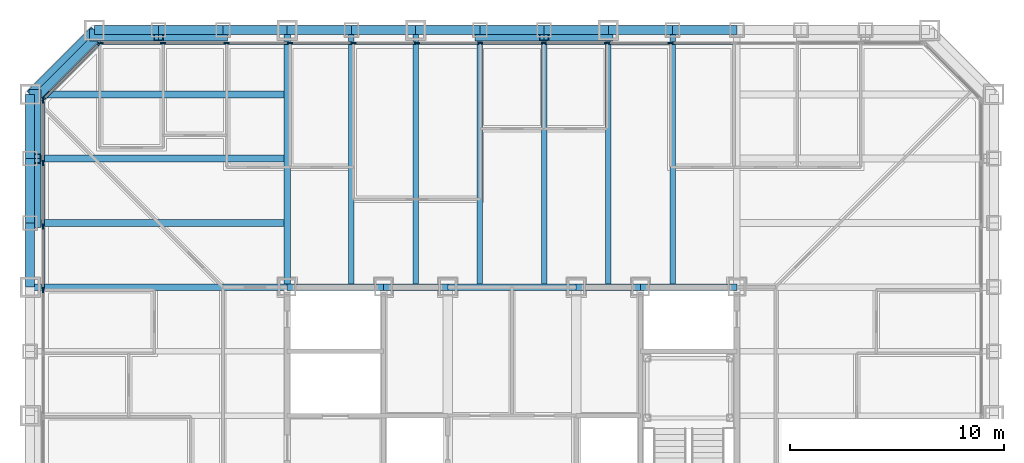
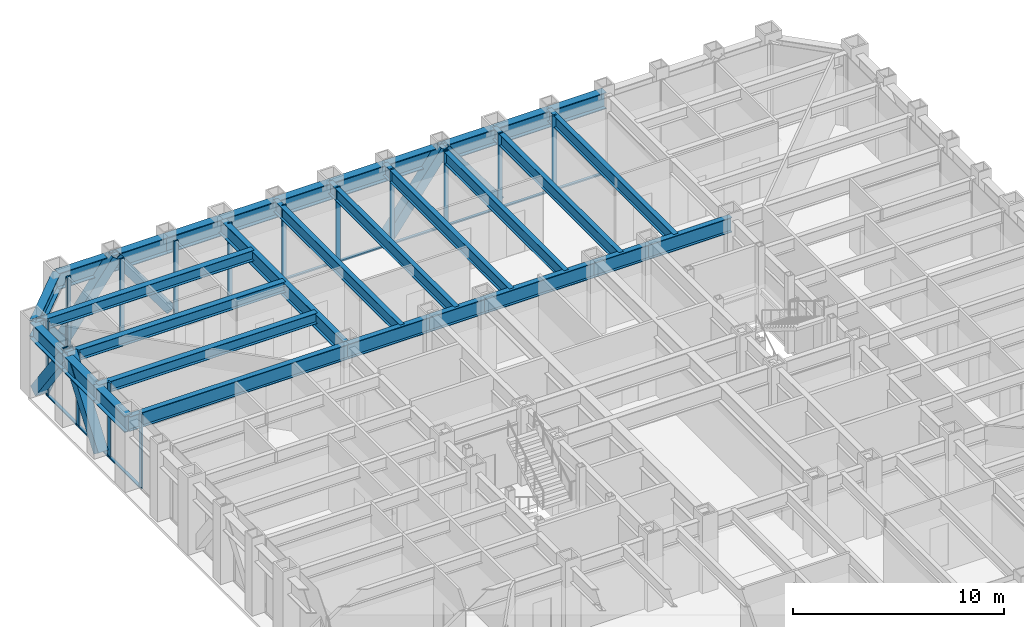
# One storey, part 5 of 17: 37 members, 30 beams, 3 elements without a shape of their own.
"""IFC4 building model written with IfcOpenShell, lengths in metres."""

import ifcopenshell
import ifcopenshell.guid

model = None  # the IFC model being written
_history = None  # IfcOwnerHistory: only IFC2X3 demands one
_inside = {}  # id of a spatial element -> (the spatial element, [elements in it])
_under = {}  # id of a project, library or spatial element -> (it, [spatial elements below it])
_declared = {}  # id of a project -> (the project, [libraries it declares])
_typed = {}  # id of a type object -> (the type object, [elements of that type])
_made_of = {}  # id of a material, layer set ... -> (it, [elements and type objects made of it])


def new_model(schema):
    """Start an empty IFC model of exactly this schema.

    Asked for "IFC4X3", IfcOpenShell would pick the latest addendum, in which some entities
    have other attributes; the version numbers below select the first issue.
    IFC2X3 requires an IfcOwnerHistory on every rooted entity: one is made here for all.
    """
    global model, _history
    if schema == "IFC4X3":
        model = ifcopenshell.file(schema_version=(4, 3, 0, 0))
    else:
        model = ifcopenshell.file(schema=schema)
    _inside.clear()
    _under.clear()
    _declared.clear()
    _typed.clear()
    _made_of.clear()
    _history = None
    if model.schema == "IFC2X3":
        org = make("IfcOrganization", Name="unknown")
        user = make(
            "IfcPersonAndOrganization",
            ThePerson=make("IfcPerson", FamilyName="unknown"),
            TheOrganization=org,
        )
        app = make(
            "IfcApplication",
            ApplicationDeveloper=org,
            Version="unknown",
            ApplicationFullName="unknown",
            ApplicationIdentifier="unknown",
        )
        _history = make(
            "IfcOwnerHistory",
            OwningUser=user,
            OwningApplication=app,
            ChangeAction="ADDED",
            CreationDate=0,
        )
    return model


def make(cls, **values):
    """One entity of the class cls with the attributes given. An attribute that is None is left unset."""
    return model.create_entity(
        cls, **{name: value for name, value in values.items() if value is not None}
    )


def rooted(cls, **values):
    """An entity with a GlobalId (a new one), such as an element, a storey or a relation."""
    return make(cls, GlobalId=ifcopenshell.guid.new(), OwnerHistory=_history, **values)


def si_unit(unit_type, name, prefix=None):
    """IfcSIUnit, for example si_unit("LENGTHUNIT", "METRE", prefix="MILLI")."""
    return make("IfcSIUnit", UnitType=unit_type, Prefix=prefix, Name=name)


def assignment(units):
    """IfcUnitAssignment: the units of a project."""
    return None if units is None else make("IfcUnitAssignment", Units=units)


def point(xyz):
    """IfcCartesianPoint."""
    return None if xyz is None else make("IfcCartesianPoint", Coordinates=xyz)


def direction(xyz):
    """IfcDirection."""
    return None if xyz is None else make("IfcDirection", DirectionRatios=xyz)


def frame(location, z_axis=None, x_axis=None):
    """IfcAxis2Placement3D, a coordinate frame: its origin and axes. An axis left out is left unset."""
    return make(
        "IfcAxis2Placement3D",
        Location=point(location),
        Axis=direction(z_axis),
        RefDirection=direction(x_axis),
    )


def frame_2d(location, x_axis=None):
    """IfcAxis2Placement2D, a coordinate frame in the plane: its origin and x axis."""
    return make(
        "IfcAxis2Placement2D", Location=point(location), RefDirection=direction(x_axis)
    )


def origin():
    """The frame at (0, 0, 0) with its axes left unset."""
    return frame((0.0, 0.0, 0.0))


def origin_2d():
    """The frame at (0, 0) in the plane with its x axis left unset."""
    return frame_2d((0.0, 0.0))


def place(relative_to, where):
    """IfcLocalPlacement: puts the frame where relative to a parent placement (None: the world)."""
    return make(
        "IfcLocalPlacement", PlacementRelTo=relative_to, RelativePlacement=where
    )


def context(
    kind, dimensions, precision=None, world=None, true_north=None, identifier=None
):
    """IfcGeometricRepresentationContext, for example the 3D "Model" context."""
    return make(
        "IfcGeometricRepresentationContext",
        ContextIdentifier=identifier,
        ContextType=kind,
        CoordinateSpaceDimension=dimensions,
        Precision=precision,
        WorldCoordinateSystem=world,
        TrueNorth=true_north,
    )


def subcontext(parent, identifier, kind, view, scale=None):
    """IfcGeometricRepresentationSubContext, for example "Body" below "Model"."""
    return make(
        "IfcGeometricRepresentationSubContext",
        ContextIdentifier=identifier,
        ContextType=kind,
        ParentContext=parent,
        TargetScale=scale,
        TargetView=view,
    )


def project(units=None, contexts=None):
    """IfcProject with its units and contexts."""
    return rooted(
        "IfcProject",
        Name="project",
        RepresentationContexts=contexts,
        UnitsInContext=assignment(units),
    )


def spatial(cls, under=None, at=None, **own):
    """A site, building, storey or space (cls), placed at a placement, below another one or the project."""
    s = rooted(cls, ObjectPlacement=at, **own)
    if under is not None:
        _under.setdefault(under.id(), (under, []))[1].append(s)
    return s


def profile(cls, at=None, kind="AREA", **sizes):
    """A parametric profile (cls). Its sizes go by their IFC names, for example OverallWidth=200.0."""
    return make(cls, ProfileType=kind, Position=at, **sizes)


def rectangle(**sizes):
    """IfcRectangleProfileDef."""
    return profile("IfcRectangleProfileDef", **sizes)


def hollow_rectangle(**sizes):
    """IfcRectangleHollowProfileDef."""
    return profile("IfcRectangleHollowProfileDef", **sizes)


def i_section(**sizes):
    """IfcIShapeProfileDef."""
    return profile("IfcIShapeProfileDef", **sizes)


def extrude(swept, where, along, depth):
    """IfcExtrudedAreaSolid: the profile swept, set in the frame where, extruded along a direction by depth."""
    return make(
        "IfcExtrudedAreaSolid",
        SweptArea=swept,
        Position=where,
        ExtrudedDirection=direction(along),
        Depth=depth,
    )


def shape(context_of_items, identifier, shape_type, items):
    """IfcShapeRepresentation: the items that make up one representation, for example the "Body"."""
    return make(
        "IfcShapeRepresentation",
        ContextOfItems=context_of_items,
        RepresentationIdentifier=identifier,
        RepresentationType=shape_type,
        Items=items,
    )


def material(Name=None, Category=None):
    """IfcMaterial."""
    return make("IfcMaterial", Name=Name, Category=Category)


def layer(
    of_material, thickness, ventilated=None, Name=None, Category=None, Priority=None
):
    """IfcMaterialLayer: one layer of a wall or slab, of a material (None: an air gap)."""
    return make(
        "IfcMaterialLayer",
        Material=of_material,
        LayerThickness=thickness,
        IsVentilated=ventilated,
        Name=Name,
        Category=Category,
        Priority=Priority,
    )


def layer_set(layers, Name=None):
    """IfcMaterialLayerSet."""
    return make("IfcMaterialLayerSet", MaterialLayers=layers, LayerSetName=Name)


def material_profile(
    of_material, cross_section, Name=None, Category=None, Priority=None
):
    """IfcMaterialProfile: a cross section and its material."""
    return make(
        "IfcMaterialProfile",
        Name=Name,
        Material=of_material,
        Profile=cross_section,
        Priority=Priority,
        Category=Category,
    )


def profile_set(profiles, Name=None, composite=None):
    """IfcMaterialProfileSet."""
    return make(
        "IfcMaterialProfileSet",
        Name=Name,
        MaterialProfiles=profiles,
        CompositeProfile=composite,
    )


def made_of(thing, what):
    """Note that an element or type object is made of a material, layer set ...; save() writes the relation."""
    if what is not None:
        _made_of.setdefault(what.id(), (what, []))[1].append(thing)
    return thing


def type_object(cls, material=None, **own):
    """A type object (cls), such as IfcWallType, which elements share."""
    return made_of(rooted(cls, **own), material)


def element(
    cls,
    number,
    at=None,
    inside=None,
    cuts=None,
    type_object=None,
    material=None,
    context=None,
    identifier="Body",
    shape_type=None,
    held_by="IfcProductDefinitionShape",
    body=None,
    shapes=None,
    **own,
):
    """One element of the class cls, such as IfcWall. Its Tag is "e" and its number.

    at: its placement. inside: the storey or other place that contains it. cuts: it is an
    opening in that element (IfcRelVoidsElement). A single representation is given by context,
    identifier, shape_type and body (its items); several are given by shapes. held_by: the class
    of the entity that holds the representations. save() writes the other relations.
    """
    e = rooted(cls, Tag="e%d" % number, ObjectPlacement=at, **own)
    if body is not None:
        shapes = [shape(context, identifier, shape_type, body)]
    if shapes is not None:
        e.Representation = make(held_by, Representations=shapes)
    if inside is not None:
        _inside.setdefault(inside.id(), (inside, []))[1].append(e)
    if cuts is not None:
        rooted(
            "IfcRelVoidsElement", RelatingBuildingElement=cuts, RelatedOpeningElement=e
        )
    if type_object is not None:
        _typed.setdefault(type_object.id(), (type_object, []))[1].append(e)
    return made_of(e, material)


def aggregate(whole, parts):
    """IfcRelAggregates: a whole, such as a stair, and the parts it consists of."""
    return rooted("IfcRelAggregates", RelatingObject=whole, RelatedObjects=parts)


def save(model, path):
    """Write the relations noted so far, then the file.

    IfcRelAggregates (storeys below a building ...), IfcRelContainedInSpatialStructure (elements
    in a storey), IfcRelDefinesByType, IfcRelAssociatesMaterial and IfcRelDeclares: one each for
    every whole, place, type object, material and project.
    """
    for whole, parts in _under.values():
        aggregate(whole, parts)
    for where, things in _inside.values():
        rooted(
            "IfcRelContainedInSpatialStructure",
            RelatedElements=things,
            RelatingStructure=where,
        )
    for kind, things in _typed.values():
        rooted("IfcRelDefinesByType", RelatedObjects=things, RelatingType=kind)
    for what, things in _made_of.values():
        rooted("IfcRelAssociatesMaterial", RelatedObjects=things, RelatingMaterial=what)
    for by, libraries in _declared.values():
        rooted("IfcRelDeclares", RelatingContext=by, RelatedDefinitions=libraries)
    model.write(path)


model = new_model("IFC4")

# Units and contexts
model_context = context("Model", 3, precision=1e-05, world=origin(), true_north=direction((0.0, 1.0)))
body_context = subcontext(model_context, "Body", "Model", "MODEL_VIEW")
ifc_project = project(units=[si_unit("LENGTHUNIT", "METRE"), si_unit("AREAUNIT", "SQUARE_METRE"), si_unit("VOLUMEUNIT", "CUBIC_METRE"), si_unit("PLANEANGLEUNIT", "RADIAN"), si_unit("MASSUNIT", "GRAM", prefix="KILO")], contexts=[model_context])

# Site, building, storey
site_placement = place(None, origin())
site = spatial("IfcSite", under=ifc_project, at=site_placement, CompositionType="ELEMENT")
building_placement = place(site_placement, origin())
building = spatial("IfcBuilding", under=site, at=building_placement, Name="Chuquiago Exchange Tower", CompositionType="ELEMENT")
storey_placement = place(building_placement, frame((0.0, 0.0, 42.300048828125)))
storey = spatial("IfcBuildingStorey", under=building, at=storey_placement, Name="L08", CompositionType="ELEMENT", Elevation=42.300048828125)

# Beams
ifc_material_1 = material(Name="Steel ASTM A992", Category="steel")
ifc_material_profile_1 = material_profile(ifc_material_1, i_section(OverallWidth=0.2919921875, OverallDepth=0.8583984375, WebThickness=0.01708984375, FlangeThickness=0.031005859375, at=origin_2d()), Name="W33X169")
ifc_profile_set_1 = profile_set([ifc_material_profile_1], Name="Steel ASTM A992")
beam_type_1 = type_object("IfcBeamType", Name="B3 W33X169", PredefinedType="BEAM", material=ifc_profile_set_1)
beam_1_placement = place(storey_placement, frame((12.0, 33.0, 3.610595703125), z_axis=(1.0, 0.0, 0.0), x_axis=(0.0, 1.0, 0.0)))
element("IfcBeam", 1, at=beam_1_placement, inside=storey, type_object=beam_type_1, Name="CB-L09-12_33-16.5_33", PredefinedType="BEAM", context=body_context, shape_type="SweptSolid", body=[
    extrude(i_section(OverallWidth=0.2919921875, OverallDepth=0.8583984375, WebThickness=0.01708984375, FlangeThickness=0.031005859375, at=origin_2d()), origin(), (0.0, 0.0, 1.0), 4.5),
])
beam_2_placement = place(storey_placement, frame((16.5, 33.0, 3.610595703125), z_axis=(1.0, 0.0, 0.0), x_axis=(0.0, 1.0, 0.0)))
element("IfcBeam", 2, at=beam_2_placement, inside=storey, type_object=beam_type_1, Name="CB-L09-16.5_33-19.5_33", PredefinedType="BEAM", context=body_context, shape_type="SweptSolid", body=[
    extrude(i_section(OverallWidth=0.2919921875, OverallDepth=0.8583984375, WebThickness=0.01708984375, FlangeThickness=0.031005859375, at=origin_2d()), origin(), (0.0, 0.0, 1.0), 3.0),
])
beam_3_placement = place(storey_placement, frame((19.5, 33.0, 3.610595703125), z_axis=(1.0, 0.0, 0.0), x_axis=(0.0, 1.0, 0.0)))
element("IfcBeam", 3, at=beam_3_placement, inside=storey, type_object=beam_type_1, Name="CB-L09-19.5_33-25.5_33", PredefinedType="BEAM", context=body_context, shape_type="SweptSolid", body=[
    extrude(i_section(OverallWidth=0.2919921875, OverallDepth=0.8583984375, WebThickness=0.01708984375, FlangeThickness=0.031005859375, at=origin_2d()), origin(), (0.0, 0.0, 1.0), 6.0),
])
beam_4_placement = place(storey_placement, frame((25.5, 33.0, 3.610595703125), z_axis=(1.0, 0.0, 0.0), x_axis=(0.0, 1.0, 0.0)))
element("IfcBeam", 4, at=beam_4_placement, inside=storey, type_object=beam_type_1, Name="CB-L09-25.5_33-28.5_33", PredefinedType="BEAM", context=body_context, shape_type="SweptSolid", body=[
    extrude(i_section(OverallWidth=0.2919921875, OverallDepth=0.8583984375, WebThickness=0.01708984375, FlangeThickness=0.031005859375, at=origin_2d()), origin(), (0.0, 0.0, 1.0), 3.0),
])
beam_5_placement = place(storey_placement, frame((28.5, 33.0, 3.610595703125), z_axis=(1.0, 0.0, 0.0), x_axis=(0.0, 1.0, 0.0)))
element("IfcBeam", 5, at=beam_5_placement, inside=storey, type_object=beam_type_1, Name="CB-L09-28.5_33-33_33", PredefinedType="BEAM", context=body_context, shape_type="SweptSolid", body=[
    extrude(i_section(OverallWidth=0.2919921875, OverallDepth=0.8583984375, WebThickness=0.01708984375, FlangeThickness=0.031005859375, at=origin_2d()), origin(), (0.0, 0.0, 1.0), 4.5),
])
ifc_material_2 = material(Name="Steel ASTM A992", Category="steel")
ifc_material_profile_2 = material_profile(ifc_material_2, i_section(OverallWidth=0.256591796875, OverallDepth=0.693359375, WebThickness=0.014404296875, FlangeThickness=0.023681640625, at=origin_2d()), Name="W27X114")
ifc_profile_set_2 = profile_set([ifc_material_profile_2], Name="Steel ASTM A992")
beam_type_2 = type_object("IfcBeamType", Name="B4 W27X114", PredefinedType="BEAM", material=ifc_profile_set_2)
for number, where, z_axis, x_axis, name in (
    (6, (15.0, 33.0, 3.693359375), (0.0, 1.0, 0.0), (-1.0, 0.0, 0.0), "FB-L09-infill-15_33-15_45-0"),
    (7, (18.0, 33.0, 3.693359375), (0.0, 1.0, 0.0), (-1.0, 0.0, 0.0), "FB-L09-infill-18_33-18_45-0"),
    (8, (21.0, 33.0, 3.693359375), (0.0, 1.0, 0.0), (-1.0, 0.0, 0.0), "FB-L09-infill-21_33-21_45-0"),
    (9, (24.0, 33.0, 3.693359375), (0.0, 1.0, 0.0), (-1.0, 0.0, 0.0), "FB-L09-infill-24_33-24_45-0"),
    (10, (27.0, 33.0, 3.693359375), (0.0, 1.0, 0.0), (-1.0, 0.0, 0.0), "FB-L09-infill-27_33-27_45-0"),
    (11, (30.0, 33.0, 3.693359375), (0.0, 1.0, 0.0), (-1.0, 0.0, 0.0), "FB-L09-infill-30_33-30_45-0"),
):
    element("IfcBeam", number, at=place(storey_placement, frame(where, z_axis=z_axis, x_axis=x_axis)), inside=storey, type_object=beam_type_2, Name=name, PredefinedType="BEAM", context=body_context, shape_type="SweptSolid", body=[
        extrude(i_section(OverallWidth=0.256591796875, OverallDepth=0.693359375, WebThickness=0.014404296875, FlangeThickness=0.023681640625, at=origin_2d()), origin(), (0.0, 0.0, 1.0), 12.0),
    ])
ifc_material_3 = material(Name="Steel ASTM A992", Category="steel")
ifc_material_profile_3 = material_profile(ifc_material_3, i_section(OverallWidth=0.3251953125, OverallDepth=0.6171875, WebThickness=0.013916015625, FlangeThickness=0.021484375, at=origin_2d()), Name="W24X117")
ifc_profile_set_3 = profile_set([ifc_material_profile_3], Name="Steel ASTM A992")
beam_type_3 = type_object("IfcBeamType", Name="B5 W24X117", PredefinedType="BEAM", material=ifc_profile_set_3)
for number, where, z_axis, x_axis, name in (
    (12, (12.0, 36.0, 3.7314453125), (-1.0, 0.0, 0.0), (0.0, -1.0, 0.0), "FB-L09-corner-12_36--0_36-0"),
    (13, (12.0, 39.0, 3.7314453125), (-1.0, 0.0, 0.0), (0.0, -1.0, 0.0), "FB-L09-corner-12_39--0_39-0"),
    (14, (12.0, 42.0, 3.7314453125), (-1.0, 0.0, 0.0), (0.0, -1.0, 0.0), "FB-L09-corner-12_42--0_42-0"),
):
    element("IfcBeam", number, at=place(storey_placement, frame(where, z_axis=z_axis, x_axis=x_axis)), inside=storey, type_object=beam_type_3, Name=name, PredefinedType="BEAM", context=body_context, shape_type="SweptSolid", body=[
        extrude(i_section(OverallWidth=0.3251953125, OverallDepth=0.6171875, WebThickness=0.013916015625, FlangeThickness=0.021484375, at=origin_2d()), origin(), (0.0, 0.0, 1.0), 12.0),
    ])

# Curtain wall, members
ifc_material_4 = material(Name="Aluminium curtain wall system", Category="aluminium")
ifc_layer_1 = layer(ifc_material_4, 0.25)
ifc_layer_set_1 = layer_set([ifc_layer_1], Name="CW1 trading floor curtain wall")
curtain_wall_type_1 = type_object("IfcCurtainWallType", Name="CW1 trading floor curtain wall", PredefinedType="NOTDEFINED", material=ifc_layer_set_1)
curtain_wall_1_placement = place(storey_placement, origin())
curtain_wall_1 = element("IfcCurtainWall", 15, at=curtain_wall_1_placement, inside=storey, type_object=curtain_wall_type_1, Name="CW1 curtain wall L08", PredefinedType="NOTDEFINED")
ifc_material_5 = material(Name="Aluminium mullion, pale anodised", Category="aluminium")
ifc_material_profile_4 = material_profile(ifc_material_5, rectangle(XDim=0.074951171875, YDim=0.25, at=origin_2d()), Name="AL 75x250")
ifc_profile_set_4 = profile_set([ifc_material_profile_4], Name="Aluminium mullion, pale anodised")
member_type_1 = type_object("IfcMemberType", Name="CW1-M mullion 75x250", PredefinedType="MULLION", material=ifc_profile_set_4)
member_1_placement = place(storey_placement, frame((29.904541015625, 44.39990234375, -0.300048828125), z_axis=(0.0, 0.0, 1.0), x_axis=(0.0, -1.0, 0.0)))
member_1 = element("IfcMember", 16, at=member_1_placement, type_object=member_type_1, Name="CW1 mullion 5", PredefinedType="MULLION", context=body_context, shape_type="SweptSolid", body=[
    extrude(rectangle(XDim=0.074951171875, YDim=0.25, at=origin_2d()), origin(), (0.0, 0.0, 1.0), 4.340087890625),
])
member_2_placement = place(storey_placement, frame((26.942626953125, 44.39990234375, -0.300048828125), z_axis=(0.0, 0.0, 1.0), x_axis=(0.0, -1.0, 0.0)))
member_2 = element("IfcMember", 17, at=member_2_placement, type_object=member_type_1, Name="CW1 mullion 6", PredefinedType="MULLION", context=body_context, shape_type="SweptSolid", body=[
    extrude(rectangle(XDim=0.074951171875, YDim=0.25, at=origin_2d()), origin(), (0.0, 0.0, 1.0), 4.340087890625),
])
member_3_placement = place(storey_placement, frame((23.98095703125, 44.39990234375, -0.300048828125), z_axis=(0.0, 0.0, 1.0), x_axis=(0.0, -1.0, 0.0)))
member_3 = element("IfcMember", 18, at=member_3_placement, type_object=member_type_1, Name="CW1 mullion 7", PredefinedType="MULLION", context=body_context, shape_type="SweptSolid", body=[
    extrude(rectangle(XDim=0.074951171875, YDim=0.25, at=origin_2d()), origin(), (0.0, 0.0, 1.0), 4.340087890625),
])
member_4_placement = place(storey_placement, frame((21.01904296875, 44.39990234375, -0.300048828125), z_axis=(0.0, 0.0, 1.0), x_axis=(0.0, -1.0, 0.0)))
member_4 = element("IfcMember", 19, at=member_4_placement, type_object=member_type_1, Name="CW1 mullion 8", PredefinedType="MULLION", context=body_context, shape_type="SweptSolid", body=[
    extrude(rectangle(XDim=0.074951171875, YDim=0.25, at=origin_2d()), origin(), (0.0, 0.0, 1.0), 4.340087890625),
])
member_5_placement = place(storey_placement, frame((18.057373046875, 44.39990234375, -0.300048828125), z_axis=(0.0, 0.0, 1.0), x_axis=(0.0, -1.0, 0.0)))
member_5 = element("IfcMember", 20, at=member_5_placement, type_object=member_type_1, Name="CW1 mullion 9", PredefinedType="MULLION", context=body_context, shape_type="SweptSolid", body=[
    extrude(rectangle(XDim=0.074951171875, YDim=0.25, at=origin_2d()), origin(), (0.0, 0.0, 1.0), 4.340087890625),
])
member_6_placement = place(storey_placement, frame((15.095458984375, 44.39990234375, -0.300048828125), z_axis=(0.0, 0.0, 1.0), x_axis=(0.0, -1.0, 0.0)))
member_6 = element("IfcMember", 21, at=member_6_placement, type_object=member_type_1, Name="CW1 mullion 10", PredefinedType="MULLION", context=body_context, shape_type="SweptSolid", body=[
    extrude(rectangle(XDim=0.074951171875, YDim=0.25, at=origin_2d()), origin(), (0.0, 0.0, 1.0), 4.340087890625),
])
member_7_placement = place(storey_placement, frame((12.1337890625, 44.39990234375, -0.300048828125), z_axis=(0.0, 0.0, 1.0), x_axis=(0.0, -1.0, 0.0)))
member_7 = element("IfcMember", 22, at=member_7_placement, type_object=member_type_1, Name="CW1 mullion 11", PredefinedType="MULLION", context=body_context, shape_type="SweptSolid", body=[
    extrude(rectangle(XDim=0.074951171875, YDim=0.25, at=origin_2d()), origin(), (0.0, 0.0, 1.0), 4.340087890625),
])
member_8_placement = place(storey_placement, frame((9.172119140625, 44.39990234375, -0.300048828125), z_axis=(0.0, 0.0, 1.0), x_axis=(0.0, -1.0, 0.0)))
member_8 = element("IfcMember", 23, at=member_8_placement, type_object=member_type_1, Name="CW1 mullion 12", PredefinedType="MULLION", context=body_context, shape_type="SweptSolid", body=[
    extrude(rectangle(XDim=0.074951171875, YDim=0.25, at=origin_2d()), origin(), (0.0, 0.0, 1.0), 4.340087890625),
])
member_9_placement = place(storey_placement, frame((6.210205078125, 44.39990234375, -0.300048828125), z_axis=(0.0, 0.0, 1.0), x_axis=(0.0, -1.0, 0.0)))
member_9 = element("IfcMember", 24, at=member_9_placement, type_object=member_type_1, Name="CW1 mullion 13", PredefinedType="MULLION", context=body_context, shape_type="SweptSolid", body=[
    extrude(rectangle(XDim=0.074951171875, YDim=0.25, at=origin_2d()), origin(), (0.0, 0.0, 1.0), 4.340087890625),
])
member_10_placement = place(storey_placement, frame((3.285888671875, 44.39990234375, -0.300048828125), z_axis=(0.0, 0.0, 1.0), x_axis=(0.0, -1.0, 0.0)))
member_10 = element("IfcMember", 25, at=member_10_placement, type_object=member_type_1, Name="CW1 mullion 14", PredefinedType="MULLION", context=body_context, shape_type="SweptSolid", body=[
    extrude(rectangle(XDim=0.074951171875, YDim=0.25, at=origin_2d()), origin(), (0.0, 0.0, 1.0), 4.340087890625),
])

curtain_wall_2_placement = place(storey_placement, origin())
curtain_wall_2 = element("IfcCurtainWall", 26, at=curtain_wall_2_placement, inside=storey, type_object=curtain_wall_type_1, Name="CW1 curtain wall L08", PredefinedType="NOTDEFINED")
member_11_placement = place(storey_placement, frame((0.60009765625, 41.714111328125, -0.300048828125), z_axis=(0.0, 0.0, 1.0), x_axis=(1.0, 0.0, 0.0)))
member_11 = element("IfcMember", 27, at=member_11_placement, type_object=member_type_1, Name="CW1 mullion 1", PredefinedType="MULLION", context=body_context, shape_type="SweptSolid", body=[
    extrude(rectangle(XDim=0.074951171875, YDim=0.25, at=origin_2d()), origin(), (0.0, 0.0, 1.0), 4.340087890625),
])
member_12_placement = place(storey_placement, frame((0.60009765625, 38.789794921875, -0.300048828125), z_axis=(0.0, 0.0, 1.0), x_axis=(1.0, 0.0, 0.0)))
member_12 = element("IfcMember", 28, at=member_12_placement, type_object=member_type_1, Name="CW1 mullion 2", PredefinedType="MULLION", context=body_context, shape_type="SweptSolid", body=[
    extrude(rectangle(XDim=0.074951171875, YDim=0.25, at=origin_2d()), origin(), (0.0, 0.0, 1.0), 4.340087890625),
])
member_13_placement = place(storey_placement, frame((0.60009765625, 35.827880859375, -0.300048828125), z_axis=(0.0, 0.0, 1.0), x_axis=(1.0, 0.0, 0.0)))
member_13 = element("IfcMember", 29, at=member_13_placement, type_object=member_type_1, Name="CW1 mullion 3", PredefinedType="MULLION", context=body_context, shape_type="SweptSolid", body=[
    extrude(rectangle(XDim=0.074951171875, YDim=0.25, at=origin_2d()), origin(), (0.0, 0.0, 1.0), 4.340087890625),
])
member_14_placement = place(storey_placement, frame((0.60009765625, 32.8662109375, -0.300048828125), z_axis=(0.0, 0.0, 1.0), x_axis=(1.0, 0.0, 0.0)))
member_14 = element("IfcMember", 30, at=member_14_placement, type_object=member_type_1, Name="CW1 mullion 4", PredefinedType="MULLION", context=body_context, shape_type="SweptSolid", body=[
    extrude(rectangle(XDim=0.074951171875, YDim=0.25, at=origin_2d()), origin(), (0.0, 0.0, 1.0), 4.340087890625),
])

# Member
ifc_material_6 = material(Name="Aluminium transom, pale anodised", Category="aluminium")
ifc_material_profile_5 = material_profile(ifc_material_6, rectangle(XDim=0.14990234375, YDim=0.074951171875, at=origin_2d()), Name="AL 150x75")
ifc_profile_set_5 = profile_set([ifc_material_profile_5], Name="Aluminium transom, pale anodised")
member_type_2 = type_object("IfcMemberType", Name="CW1-T transom 75x150", PredefinedType="MULLION", material=ifc_profile_set_5)
member_15_placement = place(storey_placement, frame((32.82861328125, 44.39990234375, -0.262451171875), z_axis=(-1.0, 0.0, 0.0), x_axis=(0.0, -1.0, 0.0)))
member_15 = element("IfcMember", 31, at=member_15_placement, type_object=member_type_2, Name="CW1 transom 4.1", PredefinedType="MULLION", context=body_context, shape_type="SweptSolid", body=[
    extrude(rectangle(XDim=0.14990234375, YDim=0.074951171875, at=origin_2d()), origin(), (0.0, 0.0, 1.0), 2.88671875),
])

member_16_placement = place(storey_placement, frame((29.866943359375, 44.39990234375, -0.262451171875), z_axis=(-1.0, 0.0, 0.0), x_axis=(0.0, -1.0, 0.0)))
member_16 = element("IfcMember", 32, at=member_16_placement, type_object=member_type_2, Name="CW1 transom 5.1", PredefinedType="MULLION", context=body_context, shape_type="SweptSolid", body=[
    extrude(rectangle(XDim=0.14990234375, YDim=0.074951171875, at=origin_2d()), origin(), (0.0, 0.0, 1.0), 2.88671875),
])

member_17_placement = place(storey_placement, frame((26.9052734375, 44.39990234375, -0.262451171875), z_axis=(-1.0, 0.0, 0.0), x_axis=(0.0, -1.0, 0.0)))
member_17 = element("IfcMember", 33, at=member_17_placement, type_object=member_type_2, Name="CW1 transom 6.1", PredefinedType="MULLION", context=body_context, shape_type="SweptSolid", body=[
    extrude(rectangle(XDim=0.14990234375, YDim=0.074951171875, at=origin_2d()), origin(), (0.0, 0.0, 1.0), 2.886962890625),
])

member_18_placement = place(storey_placement, frame((23.943359375, 44.39990234375, -0.262451171875), z_axis=(-1.0, 0.0, 0.0), x_axis=(0.0, -1.0, 0.0)))
member_18 = element("IfcMember", 34, at=member_18_placement, type_object=member_type_2, Name="CW1 transom 7.1", PredefinedType="MULLION", context=body_context, shape_type="SweptSolid", body=[
    extrude(rectangle(XDim=0.14990234375, YDim=0.074951171875, at=origin_2d()), origin(), (0.0, 0.0, 1.0), 2.88671875),
])

member_19_placement = place(storey_placement, frame((20.981689453125, 44.39990234375, -0.262451171875), z_axis=(-1.0, 0.0, 0.0), x_axis=(0.0, -1.0, 0.0)))
member_19 = element("IfcMember", 35, at=member_19_placement, type_object=member_type_2, Name="CW1 transom 8.1", PredefinedType="MULLION", context=body_context, shape_type="SweptSolid", body=[
    extrude(rectangle(XDim=0.14990234375, YDim=0.074951171875, at=origin_2d()), origin(), (0.0, 0.0, 1.0), 2.886962890625),
])

member_20_placement = place(storey_placement, frame((18.019775390625, 44.39990234375, -0.262451171875), z_axis=(-1.0, 0.0, 0.0), x_axis=(0.0, -1.0, 0.0)))
member_20 = element("IfcMember", 36, at=member_20_placement, type_object=member_type_2, Name="CW1 transom 9.1", PredefinedType="MULLION", context=body_context, shape_type="SweptSolid", body=[
    extrude(rectangle(XDim=0.14990234375, YDim=0.074951171875, at=origin_2d()), origin(), (0.0, 0.0, 1.0), 2.88671875),
])

member_21_placement = place(storey_placement, frame((15.05810546875, 44.39990234375, -0.262451171875), z_axis=(-1.0, 0.0, 0.0), x_axis=(0.0, -1.0, 0.0)))
member_21 = element("IfcMember", 37, at=member_21_placement, type_object=member_type_2, Name="CW1 transom 10.1", PredefinedType="MULLION", context=body_context, shape_type="SweptSolid", body=[
    extrude(rectangle(XDim=0.14990234375, YDim=0.074951171875, at=origin_2d()), origin(), (0.0, 0.0, 1.0), 2.88671875),
])

member_22_placement = place(storey_placement, frame((12.09619140625, 44.39990234375, -0.262451171875), z_axis=(-1.0, 0.0, 0.0), x_axis=(0.0, -1.0, 0.0)))
member_22 = element("IfcMember", 38, at=member_22_placement, type_object=member_type_2, Name="CW1 transom 11.1", PredefinedType="MULLION", context=body_context, shape_type="SweptSolid", body=[
    extrude(rectangle(XDim=0.14990234375, YDim=0.074951171875, at=origin_2d()), origin(), (0.0, 0.0, 1.0), 2.88671875),
])

member_23_placement = place(storey_placement, frame((9.134521484375, 44.39990234375, -0.262451171875), z_axis=(-1.0, 0.0, 0.0), x_axis=(0.0, -1.0, 0.0)))
member_23 = element("IfcMember", 39, at=member_23_placement, type_object=member_type_2, Name="CW1 transom 12.1", PredefinedType="MULLION", context=body_context, shape_type="SweptSolid", body=[
    extrude(rectangle(XDim=0.14990234375, YDim=0.074951171875, at=origin_2d()), origin(), (0.0, 0.0, 1.0), 2.88671875),
])

member_24_placement = place(storey_placement, frame((6.1728515625, 44.39990234375, -0.262451171875), z_axis=(-1.0, 0.0, 0.0), x_axis=(0.0, -1.0, 0.0)))
member_24 = element("IfcMember", 40, at=member_24_placement, type_object=member_type_2, Name="CW1 transom 13.1", PredefinedType="MULLION", context=body_context, shape_type="SweptSolid", body=[
    extrude(rectangle(XDim=0.14990234375, YDim=0.074951171875, at=origin_2d()), origin(), (0.0, 0.0, 1.0), 2.849365234375),
])

aggregate(curtain_wall_1, [member_1, member_2, member_3, member_4, member_5, member_6, member_7, member_8, member_9, member_10, member_15, member_16, member_17, member_18, member_19, member_20, member_21, member_22, member_23, member_24])

member_25_placement = place(storey_placement, frame((0.60009765625, 41.676513671875, -0.262451171875), z_axis=(0.0, -1.0, 0.0), x_axis=(1.0, 0.0, 0.0)))
member_25 = element("IfcMember", 41, at=member_25_placement, type_object=member_type_2, Name="CW1 transom 1.1", PredefinedType="MULLION", context=body_context, shape_type="SweptSolid", body=[
    extrude(rectangle(XDim=0.14990234375, YDim=0.074951171875, at=origin_2d()), origin(), (0.0, 0.0, 1.0), 2.849365234375),
])

member_26_placement = place(storey_placement, frame((0.60009765625, 38.752197265625, -0.262451171875), z_axis=(0.0, -1.0, 0.0), x_axis=(1.0, 0.0, 0.0)))
member_26 = element("IfcMember", 42, at=member_26_placement, type_object=member_type_2, Name="CW1 transom 2.1", PredefinedType="MULLION", context=body_context, shape_type="SweptSolid", body=[
    extrude(rectangle(XDim=0.14990234375, YDim=0.074951171875, at=origin_2d()), origin(), (0.0, 0.0, 1.0), 2.88671875),
])

member_27_placement = place(storey_placement, frame((0.60009765625, 35.79052734375, -0.262451171875), z_axis=(0.0, -1.0, 0.0), x_axis=(1.0, 0.0, 0.0)))
member_27 = element("IfcMember", 43, at=member_27_placement, type_object=member_type_2, Name="CW1 transom 3.1", PredefinedType="MULLION", context=body_context, shape_type="SweptSolid", body=[
    extrude(rectangle(XDim=0.14990234375, YDim=0.074951171875, at=origin_2d()), origin(), (0.0, 0.0, 1.0), 2.88671875),
])

aggregate(curtain_wall_2, [member_11, member_12, member_13, member_14, member_25, member_26, member_27])

# Curtain wall, members
ifc_material_7 = material(Name="Aluminium curtain wall system", Category="aluminium")
ifc_layer_2 = layer(ifc_material_7, 0.199951171875)
ifc_layer_set_2 = layer_set([ifc_layer_2], Name="CW3 facet curtain wall")
curtain_wall_type_2 = type_object("IfcCurtainWallType", Name="CW3 facet curtain wall", PredefinedType="NOTDEFINED", material=ifc_layer_set_2)
curtain_wall_3_placement = place(storey_placement, origin())
curtain_wall_3 = element("IfcCurtainWall", 44, at=curtain_wall_3_placement, inside=storey, type_object=curtain_wall_type_2, Name="CW3 curtain wall L08", PredefinedType="NOTDEFINED")
ifc_material_8 = material(Name="Aluminium mullion, pale anodised", Category="aluminium")
ifc_material_profile_6 = material_profile(ifc_material_8, rectangle(XDim=0.06494140625, YDim=0.199951171875, at=origin_2d()), Name="AL 65x200")
ifc_profile_set_6 = profile_set([ifc_material_profile_6], Name="Aluminium mullion, pale anodised")
member_type_3 = type_object("IfcMemberType", Name="CW3-M mullion 65x200", PredefinedType="MULLION", material=ifc_profile_set_6)
member_28_placement = place(storey_placement, frame((3.2255859375, 44.376953125, -0.300048828125), z_axis=(0.0, 0.0, 1.0), x_axis=(0.707106781187, -0.707106781187, 0.0)))
member_28 = element("IfcMember", 45, at=member_28_placement, type_object=member_type_3, Name="CW3 mullion 1", PredefinedType="MULLION", context=body_context, shape_type="SweptSolid", body=[
    extrude(rectangle(XDim=0.06494140625, YDim=0.199951171875, at=origin_2d()), origin(), (0.0, 0.0, 1.0), 4.340087890625),
])
member_29_placement = place(storey_placement, frame((0.623046875, 41.7744140625, -0.300048828125), z_axis=(0.0, 0.0, 1.0), x_axis=(0.707106781187, -0.707106781187, 0.0)))
member_29 = element("IfcMember", 46, at=member_29_placement, type_object=member_type_3, Name="CW3 mullion 2", PredefinedType="MULLION", context=body_context, shape_type="SweptSolid", body=[
    extrude(rectangle(XDim=0.06494140625, YDim=0.199951171875, at=origin_2d()), origin(), (0.0, 0.0, 1.0), 4.340087890625),
])
ifc_material_9 = material(Name="Aluminium transom, pale anodised", Category="aluminium")
ifc_material_profile_7 = material_profile(ifc_material_9, rectangle(XDim=0.139892578125, YDim=0.06494140625, at=origin_2d()), Name="AL 140x65")
ifc_profile_set_7 = profile_set([ifc_material_profile_7], Name="Aluminium transom, pale anodised")
member_type_4 = type_object("IfcMemberType", Name="CW3-T transom 65x140", PredefinedType="MULLION", material=ifc_profile_set_7)
member_30_placement = place(storey_placement, frame((3.20263671875, 44.35400390625, -0.267578125), z_axis=(-0.707106781187, -0.707106781187, 0.0), x_axis=(0.707106781187, -0.707106781187, 0.0)))
member_30 = element("IfcMember", 47, at=member_30_placement, type_object=member_type_4, Name="CW3 transom 1.1", PredefinedType="MULLION", context=body_context, shape_type="SweptSolid", body=[
    extrude(rectangle(XDim=0.139892578125, YDim=0.06494140625, at=origin_2d()), origin(), (0.0, 0.0, 1.0), 3.61572265625),
])
aggregate(curtain_wall_3, [member_28, member_29, member_30])

# Beams
ifc_material_10 = material(Name="Steel ASTM A992", Category="steel")
ifc_material_profile_8 = material_profile(ifc_material_10, i_section(OverallWidth=0.2919921875, OverallDepth=0.8583984375, WebThickness=0.01708984375, FlangeThickness=0.031005859375, at=origin_2d()), Name="W33X169")
ifc_profile_set_8 = profile_set([ifc_material_profile_8], Name="Steel ASTM A992")
beam_type_4 = type_object("IfcBeamType", Name="G2 W33X169", PredefinedType="BEAM", material=ifc_profile_set_8)
for number, where, z_axis, x_axis, name in (
    (48, (12.0, 33.0, 3.610595703125), (0.0, 1.0, 0.0), (-1.0, 0.0, 0.0), "FB-L09-girder-12_33-12_45-0"),
    (49, (12.0, 33.0, 3.610595703125), (-1.0, 0.0, 0.0), (0.0, -1.0, 0.0), "FB-L09-girder-12_33--0_33-0"),
):
    element("IfcBeam", number, at=place(storey_placement, frame(where, z_axis=z_axis, x_axis=x_axis)), inside=storey, type_object=beam_type_4, Name=name, PredefinedType="BEAM", context=body_context, shape_type="SweptSolid", body=[
        extrude(i_section(OverallWidth=0.2919921875, OverallDepth=0.8583984375, WebThickness=0.01708984375, FlangeThickness=0.031005859375, at=origin_2d()), origin(), (0.0, 0.0, 1.0), 12.0),
    ])

# Members
ifc_material_11 = material(Name="Steel ASTM A500 Grade C", Category="steel")
ifc_material_profile_9 = material_profile(ifc_material_11, hollow_rectangle(XDim=0.406494140625, YDim=0.406494140625, WallThickness=0.0146484375, at=origin_2d()), Name="HSS16X16X5/8")
ifc_profile_set_9 = profile_set([ifc_material_profile_9], Name="Steel ASTM A500 Grade C")
member_type_5 = type_object("IfcMemberType", Name="LB4 HSS16X16X5/8", PredefinedType="BRACE", material=ifc_profile_set_9)
member_31_placement = place(storey_placement, frame((3.21337890625, 44.78662109375, 0.0), z_axis=(-0.512077265487, -0.512077265487, 0.689604051861), x_axis=(0.707106781187, -0.707106781187, 0.0)))
element("IfcMember", 50, at=member_31_placement, inside=storey, type_object=member_type_5, Name="LB-L08-3_45-0_42", PredefinedType="BRACE", context=body_context, shape_type="SweptSolid", body=[
    extrude(hollow_rectangle(XDim=0.406494140625, YDim=0.406494140625, WallThickness=0.0146484375, at=origin_2d()), origin(), (0.0, 0.0, 1.0), 5.8583984375),
])
ifc_material_12 = material(Name="Steel ASTM A572 Grade 50", Category="steel")
ifc_material_profile_10 = material_profile(ifc_material_12, hollow_rectangle(XDim=0.550048828125, YDim=0.550048828125, WallThickness=0.044921875, at=origin_2d()), Name="BOX550X550X45")
ifc_profile_set_10 = profile_set([ifc_material_profile_10], Name="Steel ASTM A572 Grade 50")
member_type_6 = type_object("IfcMemberType", Name="MB1 BOX550X550X45", PredefinedType="BRACE", material=ifc_profile_set_10)
for number, where, z_axis, x_axis, name in (
    (51, (27.0, 44.77001953125, 0.0), (-0.596173923302, 0.0, 0.802855312728), (0.0, -1.0, 0.0), "Mega diagonal L08 N face"),
    (52, (21.0, 44.77001953125, 0.0), (0.596173923302, 0.0, 0.802855312728), (0.0, 1.0, 0.0), "Mega diagonal L08 N face"),
    (53, (9.0, 44.77001953125, 0.0), (-0.596173923302, 0.0, 0.802855312728), (0.0, -1.0, 0.0), "Mega diagonal L08 N face"),
    (54, (3.0, 44.77001953125, 0.0), (0.596173923302, 0.0, 0.802855312728), (0.0, 1.0, 0.0), "Mega diagonal L08 N face"),
    (55, (0.22998046875, 42.0, 0.0), (0.0, -0.596173923302, 0.802855312728), (1.0, 0.0, 0.0), "Mega diagonal L08 W face"),
    (56, (0.22998046875, 36.0, 0.0), (0.0, 0.596173923302, 0.802855312728), (-1.0, 0.0, 0.0), "Mega diagonal L08 W face"),
):
    element("IfcMember", number, at=place(storey_placement, frame(where, z_axis=z_axis, x_axis=x_axis)), inside=storey, type_object=member_type_6, Name=name, PredefinedType="BRACE", context=body_context, shape_type="SweptSolid", body=[
        extrude(hollow_rectangle(XDim=0.550048828125, YDim=0.550048828125, WallThickness=0.044921875, at=origin_2d()), origin(), (0.0, 0.0, 1.0), 5.031982421875),
    ])

# Beams
ifc_material_13 = material(Name="Steel ASTM A992", Category="steel")
ifc_material_profile_11 = material_profile(ifc_material_13, i_section(OverallWidth=0.424072265625, OverallDepth=0.947509765625, WebThickness=0.02392578125, FlangeThickness=0.042724609375, at=origin_2d()), Name="W36X302")
ifc_profile_set_11 = profile_set([ifc_material_profile_11], Name="Steel ASTM A992")
beam_type_5 = type_object("IfcBeamType", Name="SP1 W36X302", PredefinedType="SPANDREL", material=ifc_profile_set_11)
for number, where, z_axis, x_axis, name in (
    (57, (33.0, 45.0, 3.566162109375), (-1.0, 0.0, 0.0), (0.0, -1.0, 0.0), "SPB-L09-33_45-30_45"),
    (58, (30.0, 45.0, 3.566162109375), (-1.0, 0.0, 0.0), (0.0, -1.0, 0.0), "SPB-L09-30_45-27_45"),
    (59, (27.0, 45.0, 3.566162109375), (-1.0, 0.0, 0.0), (0.0, -1.0, 0.0), "SPB-L09-27_45-24_45"),
    (60, (24.0, 45.0, 3.566162109375), (-1.0, 0.0, 0.0), (0.0, -1.0, 0.0), "SPB-L09-24_45-21_45"),
    (61, (21.0, 45.0, 3.566162109375), (-1.0, 0.0, 0.0), (0.0, -1.0, 0.0), "SPB-L09-21_45-18_45"),
    (62, (18.0, 45.0, 3.566162109375), (-1.0, 0.0, 0.0), (0.0, -1.0, 0.0), "SPB-L09-18_45-15_45"),
    (63, (15.0, 45.0, 3.566162109375), (-1.0, 0.0, 0.0), (0.0, -1.0, 0.0), "SPB-L09-15_45-12_45"),
    (64, (12.0, 45.0, 3.566162109375), (-1.0, 0.0, 0.0), (0.0, -1.0, 0.0), "SPB-L09-12_45-9_45"),
    (65, (9.0, 45.0, 3.566162109375), (-1.0, 0.0, 0.0), (0.0, -1.0, 0.0), "SPB-L09-9_45-6_45"),
    (66, (6.0, 45.0, 3.566162109375), (-1.0, 0.0, 0.0), (0.0, -1.0, 0.0), "SPB-L09-6_45-3_45"),
):
    element("IfcBeam", number, at=place(storey_placement, frame(where, z_axis=z_axis, x_axis=x_axis)), inside=storey, type_object=beam_type_5, Name=name, PredefinedType="SPANDREL", context=body_context, shape_type="SweptSolid", body=[
        extrude(i_section(OverallWidth=0.424072265625, OverallDepth=0.947509765625, WebThickness=0.02392578125, FlangeThickness=0.042724609375, at=origin_2d()), origin(), (0.0, 0.0, 1.0), 3.0),
    ])
beam_6_placement = place(storey_placement, frame((3.0, 45.0, 3.566162109375), z_axis=(-0.707106781187, -0.707106781187, 0.0), x_axis=(0.707106781187, -0.707106781187, 0.0)))
element("IfcBeam", 67, at=beam_6_placement, inside=storey, type_object=beam_type_5, Name="SPB-L09-3_45-0_42", PredefinedType="SPANDREL", context=body_context, shape_type="SweptSolid", body=[
    extrude(i_section(OverallWidth=0.424072265625, OverallDepth=0.947509765625, WebThickness=0.02392578125, FlangeThickness=0.042724609375, at=origin_2d()), origin(), (0.0, 0.0, 1.0), 4.24267578125),
])
for number, where, z_axis, x_axis, name in (
    (68, (0.0, 42.0, 3.566162109375), (0.0, -1.0, 0.0), (1.0, 0.0, 0.0), "SPB-L09-0_42-0_39"),
    (69, (0.0, 39.0, 3.566162109375), (0.0, -1.0, 0.0), (1.0, 0.0, 0.0), "SPB-L09-0_39-0_36"),
    (70, (0.0, 36.0, 3.566162109375), (0.0, -1.0, 0.0), (1.0, 0.0, 0.0), "SPB-L09-0_36-0_33"),
):
    element("IfcBeam", number, at=place(storey_placement, frame(where, z_axis=z_axis, x_axis=x_axis)), inside=storey, type_object=beam_type_5, Name=name, PredefinedType="SPANDREL", context=body_context, shape_type="SweptSolid", body=[
        extrude(i_section(OverallWidth=0.424072265625, OverallDepth=0.947509765625, WebThickness=0.02392578125, FlangeThickness=0.042724609375, at=origin_2d()), origin(), (0.0, 0.0, 1.0), 3.0),
    ])

save(model, "model.ifc")
